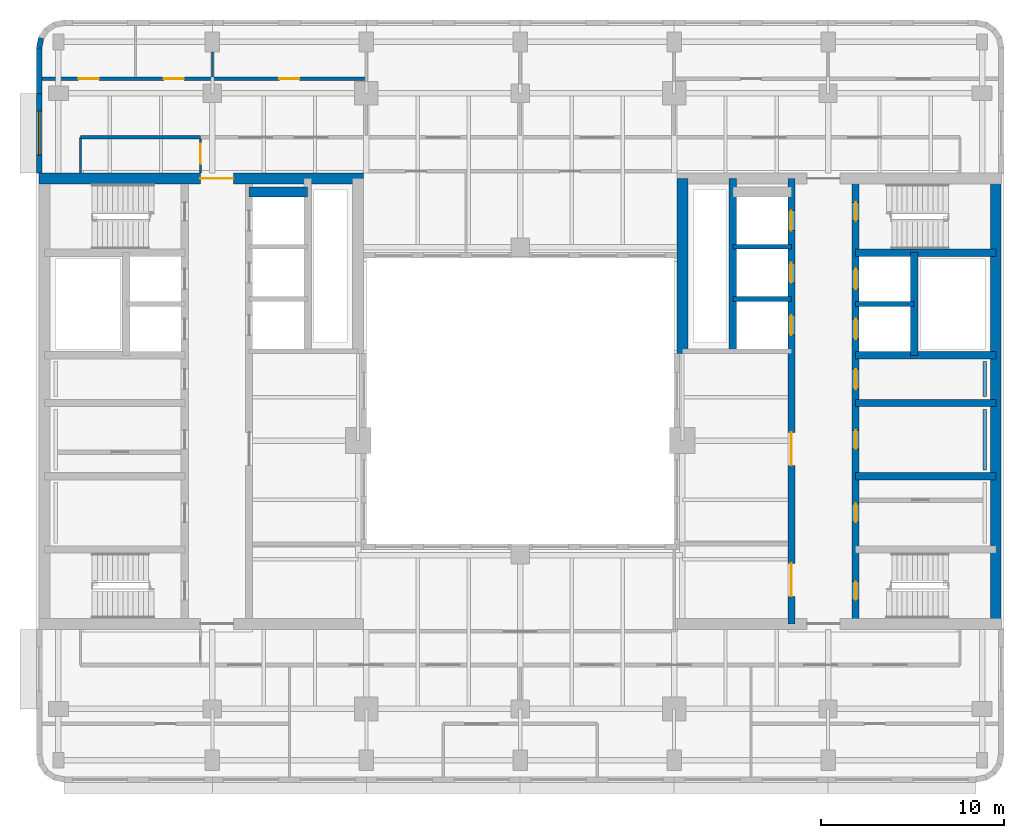
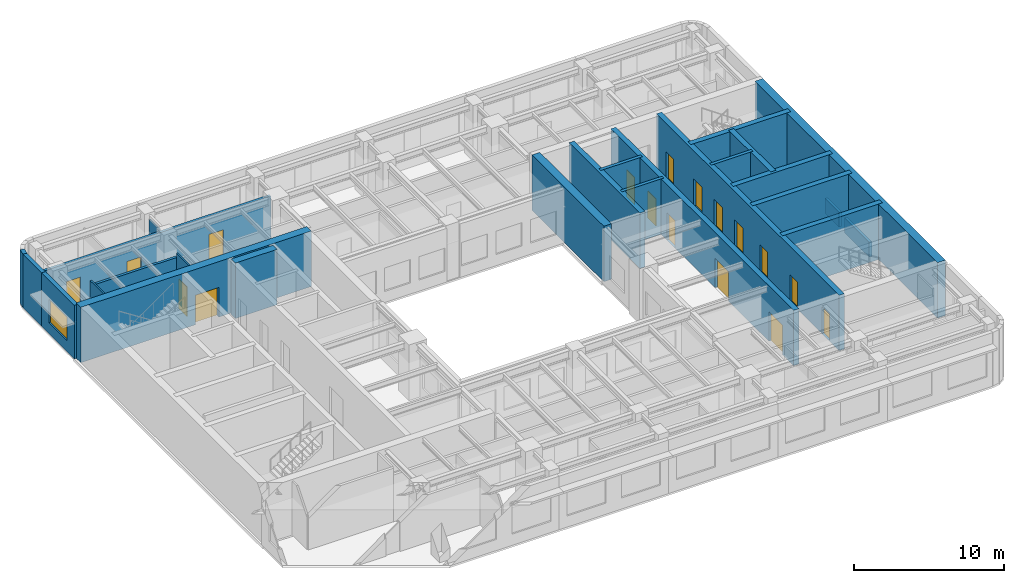
# One storey, part 6 of 11: 25 walls, 17 doors, 1 window, 18 openings.
"""IFC4 building model written with IfcOpenShell, lengths in metres."""

from ifc_helpers import new_model, si_unit, direction, frame, frame_2d, origin, place, context, subcontext, project, spatial, rectangle, extrude, material, layer, layer_set, type_object, element, fill, save


model = new_model("IFC4")

# Units and contexts
model_context = context("Model", 3, precision=1e-05, world=origin(), true_north=direction((0.0, 1.0)))
body_context = subcontext(model_context, "Body", "Model", "MODEL_VIEW")
ifc_project = project(units=[si_unit("LENGTHUNIT", "METRE"), si_unit("AREAUNIT", "SQUARE_METRE"), si_unit("VOLUMEUNIT", "CUBIC_METRE"), si_unit("PLANEANGLEUNIT", "RADIAN"), si_unit("MASSUNIT", "GRAM", prefix="KILO")], contexts=[model_context])

# Site, building, storey
site_placement = place(None, origin())
site = spatial("IfcSite", under=ifc_project, at=site_placement, CompositionType="ELEMENT")
building_placement = place(site_placement, origin())
building = spatial("IfcBuilding", under=site, at=building_placement, Name="Claustro Exchange Tower", CompositionType="ELEMENT")
storey_placement = place(building_placement, frame((0.0, 0.0, 268.199951171875)))
storey = spatial("IfcBuildingStorey", under=building, at=storey_placement, Name="L61", CompositionType="ELEMENT", Elevation=268.199951171875)

# Wall
ifc_material_1 = material(Name="Laminated glass in aluminium frame", Category="aluminium")
ifc_layer_1 = layer(ifc_material_1, 0.1201171875)
ifc_layer_set_1 = layer_set([ifc_layer_1], Name="Laminated glass in aluminium frame")
wall_type_1 = type_object("IfcWallType", Name="P2 120 glazed partition", PredefinedType="PARTITIONING", material=ifc_layer_set_1)
wall_1_placement = place(storey_placement, frame((8.39990234375, 42.89794921875, 0.0), z_axis=(0.0, 0.0, 1.0), x_axis=(0.0, 1.0, 0.0)))
element("IfcWall", 1, at=wall_1_placement, inside=storey, type_object=wall_type_1, Name="Partition P2 L61", PredefinedType="PARTITIONING", context=body_context, shape_type="SweptSolid", body=[
    extrude(rectangle(XDim=1.35302734375, YDim=0.1201171875, at=frame_2d((0.676513671875, 0.0))), origin(), (0.0, 0.0, 1.0), 3.989990234375),
])

# Wall, opening, door
wall_2_placement = place(storey_placement, frame((7.75, 37.64794921875, 0.0), z_axis=(0.0, 0.0, 1.0), x_axis=(0.0, 1.0, 0.0)))
wall_2 = element("IfcWall", 2, at=wall_2_placement, inside=storey, type_object=wall_type_1, Name="Partition P2 L61", PredefinedType="PARTITIONING", context=body_context, shape_type="SweptSolid", body=[
    extrude(rectangle(XDim=1.85400390625, YDim=0.1201171875, at=frame_2d((0.927001953125, 0.0))), origin(), (0.0, 0.0, 1.0), 4.35009765625),
])
opening_1_placement = place(wall_2_placement, frame((0.501953125, 0.0, 0.0)))
opening_1 = element("IfcOpeningElement", 3, at=opening_1_placement, cuts=wall_2, Name="Opening D8", PredefinedType="OPENING", context=body_context, shape_type="SweptSolid", body=[
    extrude(rectangle(XDim=1.10009765625, YDim=2.39990234375, at=frame_2d((0.550048828125, 1.199951171875))), frame((0.0, 0.070068359375, 0.0), z_axis=(0.0, -1.0, 0.0), x_axis=(1.0, 0.0, 0.0)), (0.0, 0.0, 1.0), 0.14013671875),
])
ifc_material_2 = material(Name="Timber door, walnut veneer", Category="wood")
door_type_1 = type_object("IfcDoorType", Name="D8 1100 x 2400 executive door", OperationType="SINGLE_SWING_LEFT", PredefinedType="DOOR", material=ifc_material_2)
door_1_placement = place(opening_1_placement, origin())
door_1 = element("IfcDoor", 4, at=door_1_placement, inside=storey, type_object=door_type_1, Name="Door D8 L61", OperationType="SINGLE_SWING_RIGHT", OverallHeight=2.39990234375, OverallWidth=1.10009765625, PredefinedType="DOOR", context=body_context, shape_type="SweptSolid", body=[
    extrude(rectangle(XDim=1.10009765625, YDim=2.39990234375, at=frame_2d((0.550048828125, 1.199951171875))), frame((0.0, 0.02490234375, 0.0), z_axis=(0.0, -1.0, 0.0), x_axis=(1.0, 0.0, 0.0)), (0.0, 0.0, 1.0), 0.050048828125),
])
fill(opening_1, door_1)

# Wall
wall_3_placement = place(storey_placement, frame((1.199951171875, 37.64794921875, 0.0), z_axis=(0.0, 0.0, 1.0), x_axis=(0.0, 1.0, 0.0)))
element("IfcWall", 5, at=wall_3_placement, inside=storey, type_object=wall_type_1, Name="Partition P2 L61", PredefinedType="PARTITIONING", context=body_context, shape_type="SweptSolid", body=[
    extrude(rectangle(XDim=1.9521484375, YDim=0.1201171875, at=frame_2d((0.97607421875, 0.0))), origin(), (0.0, 0.0, 1.0), 4.35009765625),
])

# Wall, openings, doors
ifc_material_3 = material(Name="Twin-skin gypsum board on steel studs, mineral wool", Category="steel")
ifc_layer_2 = layer(ifc_material_3, 0.199951171875)
ifc_layer_set_2 = layer_set([ifc_layer_2], Name="Twin-skin gypsum board on steel studs, mineral wool")
wall_type_2 = type_object("IfcWallType", Name="P3 200 acoustic partition", PredefinedType="PARTITIONING", material=ifc_layer_set_2)
wall_4_placement = place(storey_placement, frame((-0.902099609375, 42.800048828125, 0.0), z_axis=(0.0, 0.0, 1.0), x_axis=(1.0, 0.0, 0.0)))
wall_4 = element("IfcWall", 6, at=wall_4_placement, inside=storey, type_object=wall_type_2, Name="Partition P3 L61", PredefinedType="PARTITIONING", context=body_context, shape_type="SweptSolid", body=[
    extrude(rectangle(XDim=17.7021484375, YDim=0.199951171875, at=frame_2d((8.85107421875, 0.0))), origin(), (0.0, 0.0, 1.0), 3.860107421875),
])
opening_2_placement = place(wall_4_placement, frame((2.001953125, 0.0, 0.0)))
opening_2 = element("IfcOpeningElement", 7, at=opening_2_placement, cuts=wall_4, Name="Opening D8", PredefinedType="OPENING", context=body_context, shape_type="SweptSolid", body=[
    extrude(rectangle(XDim=1.10009765625, YDim=2.39990234375, at=frame_2d((0.550048828125, 1.199951171875))), frame((0.0, 0.10986328125, 0.0), z_axis=(0.0, -1.0, 0.0), x_axis=(1.0, 0.0, 0.0)), (0.0, 0.0, 1.0), 0.219970703125),
])
opening_3_placement = place(wall_4_placement, frame((6.652099609375, 0.0, 0.0)))
opening_3 = element("IfcOpeningElement", 8, at=opening_3_placement, cuts=wall_4, Name="Opening D8", PredefinedType="OPENING", context=body_context, shape_type="SweptSolid", body=[
    extrude(rectangle(XDim=1.10009765625, YDim=2.39990234375, at=frame_2d((0.550048828125, 1.199951171875))), frame((0.0, 0.10986328125, 0.0), z_axis=(0.0, -1.0, 0.0), x_axis=(1.0, 0.0, 0.0)), (0.0, 0.0, 1.0), 0.219970703125),
])
opening_4_placement = place(wall_4_placement, frame((12.951904296875, 0.0, 0.0)))
opening_4 = element("IfcOpeningElement", 9, at=opening_4_placement, cuts=wall_4, Name="Opening D8", PredefinedType="OPENING", context=body_context, shape_type="SweptSolid", body=[
    extrude(rectangle(XDim=1.10009765625, YDim=2.39990234375, at=frame_2d((0.550048828125, 1.199951171875))), frame((0.0, 0.10986328125, 0.0), z_axis=(0.0, -1.0, 0.0), x_axis=(1.0, 0.0, 0.0)), (0.0, 0.0, 1.0), 0.219970703125),
])
door_2_placement = place(opening_2_placement, origin())
door_2 = element("IfcDoor", 10, at=door_2_placement, inside=storey, type_object=door_type_1, Name="Door D8 L61", OperationType="SINGLE_SWING_RIGHT", OverallHeight=2.39990234375, OverallWidth=1.10009765625, PredefinedType="DOOR", context=body_context, shape_type="SweptSolid", body=[
    extrude(rectangle(XDim=1.10009765625, YDim=2.39990234375, at=frame_2d((0.550048828125, 1.199951171875))), frame((0.0, 0.02490234375, 0.0), z_axis=(0.0, -1.0, 0.0), x_axis=(1.0, 0.0, 0.0)), (0.0, 0.0, 1.0), 0.050048828125),
])
fill(opening_2, door_2)
door_3_placement = place(opening_3_placement, origin())
door_3 = element("IfcDoor", 11, at=door_3_placement, inside=storey, type_object=door_type_1, Name="Door D8 L61", OperationType="SINGLE_SWING_RIGHT", OverallHeight=2.39990234375, OverallWidth=1.10009765625, PredefinedType="DOOR", context=body_context, shape_type="SweptSolid", body=[
    extrude(rectangle(XDim=1.10009765625, YDim=2.39990234375, at=frame_2d((0.550048828125, 1.199951171875))), frame((0.0, 0.02490234375, 0.0), z_axis=(0.0, -1.0, 0.0), x_axis=(1.0, 0.0, 0.0)), (0.0, 0.0, 1.0), 0.050048828125),
])
fill(opening_3, door_3)
door_4_placement = place(opening_4_placement, origin())
door_4 = element("IfcDoor", 12, at=door_4_placement, inside=storey, type_object=door_type_1, Name="Door D8 L61", OperationType="SINGLE_SWING_LEFT", OverallHeight=2.39990234375, OverallWidth=1.10009765625, PredefinedType="DOOR", context=body_context, shape_type="SweptSolid", body=[
    extrude(rectangle(XDim=1.10009765625, YDim=2.39990234375, at=frame_2d((0.550048828125, 1.199951171875))), frame((0.0, 0.02490234375, 0.0), z_axis=(0.0, -1.0, 0.0), x_axis=(1.0, 0.0, 0.0)), (0.0, 0.0, 1.0), 0.050048828125),
])
fill(opening_4, door_4)

# Wall
wall_5_placement = place(storey_placement, frame((1.199951171875, 39.60009765625, 0.0), z_axis=(0.0, 0.0, 1.0), x_axis=(1.0, 0.0, 0.0)))
element("IfcWall", 13, at=wall_5_placement, inside=storey, type_object=wall_type_2, Name="Partition P3 L61", PredefinedType="PARTITIONING", context=body_context, shape_type="SweptSolid", body=[
    extrude(rectangle(XDim=6.552001953125, YDim=0.199951171875, at=frame_2d((3.27587890625, 0.0))), origin(), (0.0, 0.0, 1.0), 3.989990234375),
])

# Wall, opening, window
ifc_material_4 = material(Name="Concrete HA-40 (C40/50), precast, white cement, acid-etched", Category="concrete")
ifc_layer_3 = layer(ifc_material_4, 0.300048828125)
ifc_layer_set_3 = layer_set([ifc_layer_3], Name="Concrete HA-40 (C40/50), precast, white cement, acid-etched")
wall_type_3 = type_object("IfcWallType", Name="PC1 300 precast concrete pier panel", PredefinedType="SOLIDWALL", material=ifc_layer_set_3)
wall_6_placement = place(storey_placement, frame((-1.050048828125, 37.64990234375, 0.0), z_axis=(0.0, 0.0, 1.0), x_axis=(0.0, 1.0, 0.0)))
wall_6 = element("IfcWall", 14, at=wall_6_placement, inside=storey, type_object=wall_type_3, Name="Precast pier panel PC1 L61", PredefinedType="SOLIDWALL", context=body_context, shape_type="SweptSolid", body=[
    extrude(rectangle(XDim=4.35009765625, YDim=0.300048828125, at=frame_2d((2.175048828125, 0.0))), origin(), (0.0, 0.0, 1.0), 4.35009765625),
])
opening_5_placement = place(wall_6_placement, frame((0.97509765625, 0.0, 0.89990234375)))
opening_5 = element("IfcOpeningElement", 15, at=opening_5_placement, cuts=wall_6, Name="Opening W2", PredefinedType="OPENING", context=body_context, shape_type="SweptSolid", body=[
    extrude(rectangle(XDim=2.39990234375, YDim=1.89990234375, at=frame_2d((1.199951171875, 0.949951171875))), frame((0.0, 0.159912109375, 0.0), z_axis=(0.0, -1.0, 0.0), x_axis=(1.0, 0.0, 0.0)), (0.0, 0.0, 1.0), 0.320068359375),
])
ifc_material_5 = material(Name="Aluminium frame, clear double glazing", Category="aluminium")
window_type = type_object("IfcWindowType", Name="W2 2400 x 1900 window", PartitioningType="SINGLE_PANEL", PredefinedType="WINDOW", material=ifc_material_5)
window_placement = place(opening_5_placement, origin())
window = element("IfcWindow", 16, at=window_placement, inside=storey, type_object=window_type, Name="Window W2 L61", OverallHeight=1.89990234375, OverallWidth=2.39990234375, PartitioningType="SINGLE_PANEL", PredefinedType="WINDOW", context=body_context, shape_type="SweptSolid", body=[
    extrude(rectangle(XDim=2.39990234375, YDim=1.89990234375, at=frame_2d((1.199951171875, 0.949951171875))), frame((0.0, 0.030029296875, 0.0), z_axis=(0.0, -1.0, 0.0), x_axis=(1.0, 0.0, 0.0)), (0.0, 0.0, 1.0), 0.06005859375),
])
fill(opening_5, window)

# Walls
wall_7_placement = place(storey_placement, frame((-1.050048828125, 42.0, 0.0), z_axis=(0.0, 0.0, 1.0), x_axis=(0.0, 1.0, 0.0)))
element("IfcWall", 17, at=wall_7_placement, inside=storey, type_object=wall_type_3, Name="Precast pier panel PC1 L61", PredefinedType="SOLIDWALL", context=body_context, shape_type="SweptSolid", body=[
    extrude(rectangle(XDim=2.485107421875, YDim=0.300048828125, at=frame_2d((1.24267578125, 0.0))), origin(), (0.0, 0.0, 1.0), 4.35009765625),
])
wall_8_placement = place(storey_placement, frame((-1.050048828125, 44.485107421875, 0.0), z_axis=(0.0, 0.0, 1.0), x_axis=(0.195073962632, 0.980788534345, 0.0)))
element("IfcWall", 18, at=wall_8_placement, inside=storey, type_object=wall_type_3, Name="Precast pier panel PC1 L61", PredefinedType="SOLIDWALL", context=body_context, shape_type="SweptSolid", body=[
    extrude(rectangle(XDim=0.540771484375, YDim=0.300048828125, at=frame_2d((0.2705078125, 0.0))), origin(), (0.0, 0.0, 1.0), 4.35009765625),
])
ifc_material_6 = material(Name="Gypsum board on steel studs, tiled", Category="steel")
ifc_layer_4 = layer(ifc_material_6, 0.199951171875)
ifc_layer_set_4 = layer_set([ifc_layer_4], Name="Gypsum board on steel studs, tiled")
wall_type_4 = type_object("IfcWallType", Name="PW1 200 WC duct wall", PredefinedType="PLUMBINGWALL", material=ifc_layer_set_4)
wall_9_placement = place(storey_placement, frame((50.550048828125, 21.449951171875, 0.0), z_axis=(0.0, 0.0, 1.0), x_axis=(0.0, 1.0, 0.0)))
element("IfcWall", 19, at=wall_9_placement, inside=storey, type_object=wall_type_4, Name="WC duct wall PW1 L61", PredefinedType="PLUMBINGWALL", context=body_context, shape_type="SweptSolid", body=[
    extrude(rectangle(XDim=3.300048828125, YDim=0.199951171875, at=frame_2d((1.64990234375, 0.0))), origin(), (0.0, 0.0, 1.0), 1.199951171875),
])
wall_10_placement = place(storey_placement, frame((50.550048828125, 25.449951171875, 0.0), z_axis=(0.0, 0.0, 1.0), x_axis=(0.0, 1.0, 0.0)))
element("IfcWall", 20, at=wall_10_placement, inside=storey, type_object=wall_type_4, Name="WC duct wall PW1 L61", PredefinedType="PLUMBINGWALL", context=body_context, shape_type="SweptSolid", body=[
    extrude(rectangle(XDim=1.900146484375, YDim=0.199951171875, at=frame_2d((0.9501953125, 0.0))), origin(), (0.0, 0.0, 1.0), 1.199951171875),
])

# Wall, opening, door
ifc_material_7 = material(Name="Concrete HA-50 (C50/60)", Category="concrete")
ifc_layer_5 = layer(ifc_material_7, 0.60009765625)
ifc_layer_set_5 = layer_set([ifc_layer_5], Name="Concrete HA-50 (C50/60)")
wall_type_5 = type_object("IfcWallType", Name="SW3 600 core shear wall", PredefinedType="SHEAR", material=ifc_layer_set_5)
wall_11_placement = place(storey_placement, frame((-1.050048828125, 37.35009765625, 0.0), z_axis=(0.0, 0.0, 1.0), x_axis=(1.0, 0.0, 0.0)))
wall_11 = element("IfcWall", 21, at=wall_11_placement, inside=storey, type_object=wall_type_5, Name="Core wall SW3 W core N face L61", PredefinedType="SHEAR", context=body_context, shape_type="SweptSolid", body=[
    extrude(rectangle(XDim=17.699951171875, YDim=0.60009765625, at=frame_2d((8.85009765625, 0.0))), origin(), (0.0, 0.0, 1.0), 4.5),
])
opening_6_placement = place(wall_11_placement, frame((8.800048828125, 0.0, 0.0)))
opening_6 = element("IfcOpeningElement", 22, at=opening_6_placement, cuts=wall_11, Name="Opening D3", PredefinedType="OPENING", context=body_context, shape_type="SweptSolid", body=[
    extrude(rectangle(XDim=1.800048828125, YDim=2.39990234375, at=frame_2d((0.89990234375, 1.199951171875))), frame((0.0, 0.31005859375, 0.0), z_axis=(0.0, -1.0, 0.0), x_axis=(1.0, 0.0, 0.0)), (0.0, 0.0, 1.0), 0.6201171875),
])
ifc_material_8 = material(Name="Steel fire door, painted", Category="steel")
door_type_2 = type_object("IfcDoorType", Name="D3 1800 x 2400 fire-rated lobby double door", OperationType="DOUBLE_DOOR_SINGLE_SWING", PredefinedType="DOOR", material=ifc_material_8)
door_5_placement = place(opening_6_placement, origin())
door_5 = element("IfcDoor", 23, at=door_5_placement, inside=storey, type_object=door_type_2, Name="Lift lobby door D3 L61", OperationType="DOUBLE_DOOR_SINGLE_SWING", OverallHeight=2.39990234375, OverallWidth=1.800048828125, PredefinedType="DOOR", context=body_context, shape_type="SweptSolid", body=[
    extrude(rectangle(XDim=1.800048828125, YDim=2.39990234375, at=frame_2d((0.89990234375, 1.199951171875))), frame((0.0, 0.02490234375, 0.0), z_axis=(0.0, -1.0, 0.0), x_axis=(1.0, 0.0, 0.0)), (0.0, 0.0, 1.0), 0.050048828125),
])
fill(opening_6, door_5)

# Walls
ifc_material_9 = material(Name="Concrete HA-50 (C50/60)", Category="concrete")
ifc_layer_6 = layer(ifc_material_9, 0.60009765625)
ifc_layer_set_6 = layer_set([ifc_layer_6], Name="Concrete HA-50 (C50/60)")
wall_type_6 = type_object("IfcWallType", Name="SW3X 600 exposed core shear wall, board-marked face", PredefinedType="SHEAR", material=ifc_layer_set_6)
wall_12_placement = place(storey_placement, frame((34.050048828125, 27.800048828125, 0.0), z_axis=(0.0, 0.0, 1.0), x_axis=(0.0, 1.0, 0.0)))
element("IfcWall", 24, at=wall_12_placement, inside=storey, type_object=wall_type_6, Name="Core wall SW3X E core W face L61", PredefinedType="SHEAR", context=body_context, shape_type="SweptSolid", body=[
    extrude(rectangle(XDim=9.550048828125, YDim=0.60009765625, at=frame_2d((4.77490234375, 0.0))), origin(), (0.0, 0.0, 1.0), 4.5),
])
wall_13_placement = place(storey_placement, frame((51.14990234375, 13.050048828125, 0.0), z_axis=(0.0, 0.0, 1.0), x_axis=(0.0, 1.0, 0.0)))
element("IfcWall", 25, at=wall_13_placement, inside=storey, type_object=wall_type_6, Name="Core wall SW3X E core E face L61", PredefinedType="SHEAR", context=body_context, shape_type="SweptSolid", body=[
    extrude(rectangle(XDim=24.300048828125, YDim=0.60009765625, at=frame_2d((12.14990234375, 0.0))), origin(), (0.0, 0.0, 1.0), 4.5),
])

# Wall, openings, doors
ifc_material_10 = material(Name="Concrete HA-50 (C50/60)", Category="concrete")
ifc_layer_7 = layer(ifc_material_10, 0.39990234375)
ifc_layer_set_7 = layer_set([ifc_layer_7], Name="Concrete HA-50 (C50/60)")
wall_type_7 = type_object("IfcWallType", Name="SW4 400 internal core wall", PredefinedType="SHEAR", material=ifc_layer_set_7)
wall_14_placement = place(storey_placement, frame((43.5, 13.050048828125, 0.0), z_axis=(0.0, 0.0, 1.0), x_axis=(0.0, 1.0, 0.0)))
wall_14 = element("IfcWall", 26, at=wall_14_placement, inside=storey, type_object=wall_type_7, Name="Internal core wall SW4 E core L61", PredefinedType="SHEAR", context=body_context, shape_type="SweptSolid", body=[
    extrude(rectangle(XDim=24.300048828125, YDim=0.39990234375, at=frame_2d((12.14990234375, 0.0))), origin(), (0.0, 0.0, 1.0), 4.5),
])
opening_7_placement = place(wall_14_placement, frame((1.300048828125, 0.0, 0.0)))
opening_7 = element("IfcOpeningElement", 27, at=opening_7_placement, cuts=wall_14, Name="Opening D4", PredefinedType="OPENING", context=body_context, shape_type="SweptSolid", body=[
    extrude(rectangle(XDim=1.0, YDim=2.199951171875, at=frame_2d((0.5, 1.10009765625))), frame((0.0, 0.2099609375, 0.0), z_axis=(0.0, -1.0, 0.0), x_axis=(1.0, 0.0, 0.0)), (0.0, 0.0, 1.0), 0.419921875),
])
opening_8_placement = place(wall_14_placement, frame((22.0, 0.0, 0.0)))
opening_8 = element("IfcOpeningElement", 28, at=opening_8_placement, cuts=wall_14, Name="Opening D4", PredefinedType="OPENING", context=body_context, shape_type="SweptSolid", body=[
    extrude(rectangle(XDim=1.0, YDim=2.199951171875, at=frame_2d((0.5, 1.10009765625))), frame((0.0, 0.2099609375, 0.0), z_axis=(0.0, -1.0, 0.0), x_axis=(1.0, 0.0, 0.0)), (0.0, 0.0, 1.0), 0.419921875),
])
opening_9_placement = place(wall_14_placement, frame((5.550048828125, 0.0, 0.0)))
opening_9 = element("IfcOpeningElement", 29, at=opening_9_placement, cuts=wall_14, Name="Opening D1", PredefinedType="OPENING", context=body_context, shape_type="SweptSolid", body=[
    extrude(rectangle(XDim=1.0, YDim=2.199951171875, at=frame_2d((0.5, 1.10009765625))), frame((0.0, 0.2099609375, 0.0), z_axis=(0.0, -1.0, 0.0), x_axis=(1.0, 0.0, 0.0)), (0.0, 0.0, 1.0), 0.419921875),
])
opening_10_placement = place(wall_14_placement, frame((9.550048828125, 0.0, 0.0)))
opening_10 = element("IfcOpeningElement", 30, at=opening_10_placement, cuts=wall_14, Name="Opening D1", PredefinedType="OPENING", context=body_context, shape_type="SweptSolid", body=[
    extrude(rectangle(XDim=1.0, YDim=2.199951171875, at=frame_2d((0.5, 1.10009765625))), frame((0.0, 0.2099609375, 0.0), z_axis=(0.0, -1.0, 0.0), x_axis=(1.0, 0.0, 0.0)), (0.0, 0.0, 1.0), 0.419921875),
])
opening_11_placement = place(wall_14_placement, frame((12.800048828125, 0.0, 0.0)))
opening_11 = element("IfcOpeningElement", 31, at=opening_11_placement, cuts=wall_14, Name="Opening D10", PredefinedType="OPENING", context=body_context, shape_type="SweptSolid", body=[
    extrude(rectangle(XDim=1.10009765625, YDim=2.199951171875, at=frame_2d((0.550048828125, 1.10009765625))), frame((0.0, 0.2099609375, 0.0), z_axis=(0.0, -1.0, 0.0), x_axis=(1.0, 0.0, 0.0)), (0.0, 0.0, 1.0), 0.419921875),
])
opening_12_placement = place(wall_14_placement, frame((15.53759765625, 0.0, 0.0)))
opening_12 = element("IfcOpeningElement", 32, at=opening_12_placement, cuts=wall_14, Name="Opening LD", PredefinedType="OPENING", context=body_context, shape_type="SweptSolid", body=[
    extrude(rectangle(XDim=1.10009765625, YDim=2.199951171875, at=frame_2d((0.550048828125, 1.10009765625))), frame((0.0, 0.2099609375, 0.0), z_axis=(0.0, -1.0, 0.0), x_axis=(1.0, 0.0, 0.0)), (0.0, 0.0, 1.0), 0.419921875),
])
opening_13_placement = place(wall_14_placement, frame((18.262451171875, 0.0, 0.0)))
opening_13 = element("IfcOpeningElement", 33, at=opening_13_placement, cuts=wall_14, Name="Opening LD", PredefinedType="OPENING", context=body_context, shape_type="SweptSolid", body=[
    extrude(rectangle(XDim=1.10009765625, YDim=2.199951171875, at=frame_2d((0.550048828125, 1.10009765625))), frame((0.0, 0.2099609375, 0.0), z_axis=(0.0, -1.0, 0.0), x_axis=(1.0, 0.0, 0.0)), (0.0, 0.0, 1.0), 0.419921875),
])
ifc_material_11 = material(Name="Timber door, oak veneer", Category="wood")
door_type_3 = type_object("IfcDoorType", Name="D1 1000 x 2200 single door", OperationType="SINGLE_SWING_LEFT", PredefinedType="DOOR", material=ifc_material_11)
door_6_placement = place(opening_9_placement, frame((1.0, 0.0, 0.0), z_axis=(0.0, 0.0, 1.0), x_axis=(-1.0, 0.0, 0.0)))
door_6 = element("IfcDoor", 34, at=door_6_placement, inside=storey, type_object=door_type_3, Name="Door D1 L61", OperationType="SINGLE_SWING_LEFT", OverallHeight=2.199951171875, OverallWidth=1.0, PredefinedType="DOOR", context=body_context, shape_type="SweptSolid", body=[
    extrude(rectangle(XDim=1.0, YDim=2.199951171875, at=frame_2d((0.5, 1.10009765625))), frame((0.0, 0.02490234375, 0.0), z_axis=(0.0, -1.0, 0.0), x_axis=(1.0, 0.0, 0.0)), (0.0, 0.0, 1.0), 0.050048828125),
])
fill(opening_9, door_6)
door_7_placement = place(opening_10_placement, frame((1.0, 0.0, 0.0), z_axis=(0.0, 0.0, 1.0), x_axis=(-1.0, 0.0, 0.0)))
door_7 = element("IfcDoor", 35, at=door_7_placement, inside=storey, type_object=door_type_3, Name="Door D1 L61", OperationType="SINGLE_SWING_LEFT", OverallHeight=2.199951171875, OverallWidth=1.0, PredefinedType="DOOR", context=body_context, shape_type="SweptSolid", body=[
    extrude(rectangle(XDim=1.0, YDim=2.199951171875, at=frame_2d((0.5, 1.10009765625))), frame((0.0, 0.02490234375, 0.0), z_axis=(0.0, -1.0, 0.0), x_axis=(1.0, 0.0, 0.0)), (0.0, 0.0, 1.0), 0.050048828125),
])
fill(opening_10, door_7)
ifc_material_12 = material(Name="Timber door, oak veneer", Category="wood")
door_type_4 = type_object("IfcDoorType", Name="D10 1100 x 2200 accessible WC door", OperationType="SINGLE_SWING_LEFT", PredefinedType="DOOR", material=ifc_material_12)
door_8_placement = place(opening_11_placement, origin())
door_8 = element("IfcDoor", 36, at=door_8_placement, inside=storey, type_object=door_type_4, Name="Accessible WC door D10 L61", OperationType="SINGLE_SWING_RIGHT", OverallHeight=2.199951171875, OverallWidth=1.10009765625, PredefinedType="DOOR", context=body_context, shape_type="SweptSolid", body=[
    extrude(rectangle(XDim=1.10009765625, YDim=2.199951171875, at=frame_2d((0.550048828125, 1.10009765625))), frame((0.0, 0.02490234375, 0.0), z_axis=(0.0, -1.0, 0.0), x_axis=(1.0, 0.0, 0.0)), (0.0, 0.0, 1.0), 0.050048828125),
])
fill(opening_11, door_8)
ifc_material_13 = material(Name="Steel fire door, painted", Category="steel")
door_type_5 = type_object("IfcDoorType", Name="D4 1000 x 2200 fire-rated stair door", OperationType="SINGLE_SWING_LEFT", PredefinedType="DOOR", material=ifc_material_13)
door_9_placement = place(opening_7_placement, frame((1.0, 0.0, 0.0), z_axis=(0.0, 0.0, 1.0), x_axis=(-1.0, 0.0, 0.0)))
door_9 = element("IfcDoor", 37, at=door_9_placement, inside=storey, type_object=door_type_5, Name="Stair door D4 L61", OperationType="SINGLE_SWING_RIGHT", OverallHeight=2.199951171875, OverallWidth=1.0, PredefinedType="DOOR", context=body_context, shape_type="SweptSolid", body=[
    extrude(rectangle(XDim=1.0, YDim=2.199951171875, at=frame_2d((0.5, 1.10009765625))), frame((0.0, 0.02490234375, 0.0), z_axis=(0.0, -1.0, 0.0), x_axis=(1.0, 0.0, 0.0)), (0.0, 0.0, 1.0), 0.050048828125),
])
fill(opening_7, door_9)
door_10_placement = place(opening_8_placement, frame((1.0, 0.0, 0.0), z_axis=(0.0, 0.0, 1.0), x_axis=(-1.0, 0.0, 0.0)))
door_10 = element("IfcDoor", 38, at=door_10_placement, inside=storey, type_object=door_type_5, Name="Stair door D4 L61", OperationType="SINGLE_SWING_LEFT", OverallHeight=2.199951171875, OverallWidth=1.0, PredefinedType="DOOR", context=body_context, shape_type="SweptSolid", body=[
    extrude(rectangle(XDim=1.0, YDim=2.199951171875, at=frame_2d((0.5, 1.10009765625))), frame((0.0, 0.02490234375, 0.0), z_axis=(0.0, -1.0, 0.0), x_axis=(1.0, 0.0, 0.0)), (0.0, 0.0, 1.0), 0.050048828125),
])
fill(opening_8, door_10)
ifc_material_14 = material(Name="Stainless steel sliding door", Category="steel")
door_type_6 = type_object("IfcDoorType", Name="LD 1100 x 2200 lift landing door", OperationType="DOUBLE_DOOR_SLIDING", PredefinedType="DOOR", material=ifc_material_14)
door_11_placement = place(opening_12_placement, origin())
door_11 = element("IfcDoor", 39, at=door_11_placement, inside=storey, type_object=door_type_6, Name="Lift landing door LEE1 LD L61", OperationType="DOUBLE_DOOR_SLIDING", OverallHeight=2.199951171875, OverallWidth=1.10009765625, PredefinedType="DOOR", context=body_context, shape_type="SweptSolid", body=[
    extrude(rectangle(XDim=1.10009765625, YDim=2.199951171875, at=frame_2d((0.550048828125, 1.10009765625))), frame((0.0, 0.02490234375, 0.0), z_axis=(0.0, -1.0, 0.0), x_axis=(1.0, 0.0, 0.0)), (0.0, 0.0, 1.0), 0.050048828125),
])
fill(opening_12, door_11)
door_12_placement = place(opening_13_placement, origin())
door_12 = element("IfcDoor", 40, at=door_12_placement, inside=storey, type_object=door_type_6, Name="Lift landing door LEE2 LD L61", OperationType="DOUBLE_DOOR_SLIDING", OverallHeight=2.199951171875, OverallWidth=1.10009765625, PredefinedType="DOOR", context=body_context, shape_type="SweptSolid", body=[
    extrude(rectangle(XDim=1.10009765625, YDim=2.199951171875, at=frame_2d((0.550048828125, 1.10009765625))), frame((0.0, 0.02490234375, 0.0), z_axis=(0.0, -1.0, 0.0), x_axis=(1.0, 0.0, 0.0)), (0.0, 0.0, 1.0), 0.050048828125),
])
fill(opening_13, door_12)

wall_15_placement = place(storey_placement, frame((40.0, 13.050048828125, 0.0), z_axis=(0.0, 0.0, 1.0), x_axis=(0.0, 1.0, 0.0)))
wall_15 = element("IfcWall", 41, at=wall_15_placement, inside=storey, type_object=wall_type_7, Name="Internal core wall SW4 E core L61", PredefinedType="SHEAR", context=body_context, shape_type="SweptSolid", body=[
    extrude(rectangle(XDim=24.300048828125, YDim=0.39990234375, at=frame_2d((12.14990234375, 0.0))), origin(), (0.0, 0.0, 1.0), 4.5),
])
opening_14_placement = place(wall_15_placement, frame((15.75, 0.0, 0.0)))
opening_14 = element("IfcOpeningElement", 42, at=opening_14_placement, cuts=wall_15, Name="Opening LD", PredefinedType="OPENING", context=body_context, shape_type="SweptSolid", body=[
    extrude(rectangle(XDim=1.10009765625, YDim=2.199951171875, at=frame_2d((0.550048828125, 1.10009765625))), frame((0.0, 0.2099609375, 0.0), z_axis=(0.0, -1.0, 0.0), x_axis=(1.0, 0.0, 0.0)), (0.0, 0.0, 1.0), 0.419921875),
])
opening_15_placement = place(wall_15_placement, frame((18.60009765625, 0.0, 0.0)))
opening_15 = element("IfcOpeningElement", 43, at=opening_15_placement, cuts=wall_15, Name="Opening LD", PredefinedType="OPENING", context=body_context, shape_type="SweptSolid", body=[
    extrude(rectangle(XDim=1.10009765625, YDim=2.199951171875, at=frame_2d((0.550048828125, 1.10009765625))), frame((0.0, 0.2099609375, 0.0), z_axis=(0.0, -1.0, 0.0), x_axis=(1.0, 0.0, 0.0)), (0.0, 0.0, 1.0), 0.419921875),
])
opening_16_placement = place(wall_15_placement, frame((21.449951171875, 0.0, 0.0)))
opening_16 = element("IfcOpeningElement", 44, at=opening_16_placement, cuts=wall_15, Name="Opening LD", PredefinedType="OPENING", context=body_context, shape_type="SweptSolid", body=[
    extrude(rectangle(XDim=1.10009765625, YDim=2.199951171875, at=frame_2d((0.550048828125, 1.10009765625))), frame((0.0, 0.2099609375, 0.0), z_axis=(0.0, -1.0, 0.0), x_axis=(1.0, 0.0, 0.0)), (0.0, 0.0, 1.0), 0.419921875),
])
opening_17_placement = place(wall_15_placement, frame((8.64990234375, 0.0, 0.0)))
opening_17 = element("IfcOpeningElement", 45, at=opening_17_placement, cuts=wall_15, Name="Opening D3", PredefinedType="OPENING", context=body_context, shape_type="SweptSolid", body=[
    extrude(rectangle(XDim=1.800048828125, YDim=2.39990234375, at=frame_2d((0.89990234375, 1.199951171875))), frame((0.0, 0.2099609375, 0.0), z_axis=(0.0, -1.0, 0.0), x_axis=(1.0, 0.0, 0.0)), (0.0, 0.0, 1.0), 0.419921875),
])
opening_18_placement = place(wall_15_placement, frame((1.5, 0.0, 0.0)))
opening_18 = element("IfcOpeningElement", 46, at=opening_18_placement, cuts=wall_15, Name="Opening D3", PredefinedType="OPENING", context=body_context, shape_type="SweptSolid", body=[
    extrude(rectangle(XDim=1.800048828125, YDim=2.39990234375, at=frame_2d((0.89990234375, 1.199951171875))), frame((0.0, 0.2099609375, 0.0), z_axis=(0.0, -1.0, 0.0), x_axis=(1.0, 0.0, 0.0)), (0.0, 0.0, 1.0), 0.419921875),
])
door_13_placement = place(opening_17_placement, origin())
door_13 = element("IfcDoor", 47, at=door_13_placement, inside=storey, type_object=door_type_2, Name="Core zone door D3 L61", OperationType="DOUBLE_DOOR_SINGLE_SWING", OverallHeight=2.39990234375, OverallWidth=1.800048828125, PredefinedType="DOOR", context=body_context, shape_type="SweptSolid", body=[
    extrude(rectangle(XDim=1.800048828125, YDim=2.39990234375, at=frame_2d((0.89990234375, 1.199951171875))), frame((0.0, 0.02490234375, 0.0), z_axis=(0.0, -1.0, 0.0), x_axis=(1.0, 0.0, 0.0)), (0.0, 0.0, 1.0), 0.050048828125),
])
fill(opening_17, door_13)
door_14_placement = place(opening_18_placement, origin())
door_14 = element("IfcDoor", 48, at=door_14_placement, inside=storey, type_object=door_type_2, Name="Core zone door D3 L61", OperationType="DOUBLE_DOOR_SINGLE_SWING", OverallHeight=2.39990234375, OverallWidth=1.800048828125, PredefinedType="DOOR", context=body_context, shape_type="SweptSolid", body=[
    extrude(rectangle(XDim=1.800048828125, YDim=2.39990234375, at=frame_2d((0.89990234375, 1.199951171875))), frame((0.0, 0.02490234375, 0.0), z_axis=(0.0, -1.0, 0.0), x_axis=(1.0, 0.0, 0.0)), (0.0, 0.0, 1.0), 0.050048828125),
])
fill(opening_18, door_14)
door_15_placement = place(opening_14_placement, origin())
door_15 = element("IfcDoor", 49, at=door_15_placement, inside=storey, type_object=door_type_6, Name="Lift landing door LHE1 LD L61", OperationType="DOUBLE_DOOR_SLIDING", OverallHeight=2.199951171875, OverallWidth=1.10009765625, PredefinedType="DOOR", context=body_context, shape_type="SweptSolid", body=[
    extrude(rectangle(XDim=1.10009765625, YDim=2.199951171875, at=frame_2d((0.550048828125, 1.10009765625))), frame((0.0, 0.02490234375, 0.0), z_axis=(0.0, -1.0, 0.0), x_axis=(1.0, 0.0, 0.0)), (0.0, 0.0, 1.0), 0.050048828125),
])
fill(opening_14, door_15)
door_16_placement = place(opening_15_placement, origin())
door_16 = element("IfcDoor", 50, at=door_16_placement, inside=storey, type_object=door_type_6, Name="Lift landing door LHE2 LD L61", OperationType="DOUBLE_DOOR_SLIDING", OverallHeight=2.199951171875, OverallWidth=1.10009765625, PredefinedType="DOOR", context=body_context, shape_type="SweptSolid", body=[
    extrude(rectangle(XDim=1.10009765625, YDim=2.199951171875, at=frame_2d((0.550048828125, 1.10009765625))), frame((0.0, 0.02490234375, 0.0), z_axis=(0.0, -1.0, 0.0), x_axis=(1.0, 0.0, 0.0)), (0.0, 0.0, 1.0), 0.050048828125),
])
fill(opening_15, door_16)
door_17_placement = place(opening_16_placement, origin())
door_17 = element("IfcDoor", 51, at=door_17_placement, inside=storey, type_object=door_type_6, Name="Lift landing door LSE1 LD L61", OperationType="DOUBLE_DOOR_SLIDING", OverallHeight=2.199951171875, OverallWidth=1.10009765625, PredefinedType="DOOR", context=body_context, shape_type="SweptSolid", body=[
    extrude(rectangle(XDim=1.10009765625, YDim=2.199951171875, at=frame_2d((0.550048828125, 1.10009765625))), frame((0.0, 0.02490234375, 0.0), z_axis=(0.0, -1.0, 0.0), x_axis=(1.0, 0.0, 0.0)), (0.0, 0.0, 1.0), 0.050048828125),
])
fill(opening_16, door_17)

# Walls
wall_16_placement = place(storey_placement, frame((36.800048828125, 27.925048828125, 0.0), z_axis=(0.0, 0.0, 1.0), x_axis=(0.0, 1.0, 0.0)))
element("IfcWall", 52, at=wall_16_placement, inside=storey, type_object=wall_type_7, Name="Internal core wall SW4 E core L61", PredefinedType="SHEAR", context=body_context, shape_type="SweptSolid", body=[
    extrude(rectangle(XDim=9.425048828125, YDim=0.39990234375, at=frame_2d((4.71240234375, 0.0))), origin(), (0.0, 0.0, 1.0), 4.5),
])
for number, where, z_axis, x_axis, name in (
    (53, (51.14990234375, 21.10009765625, 0.0), (0.0, 0.0, 1.0), (-1.0, 0.0, 0.0), "Internal core wall SW4 E core L61"),
    (54, (51.14990234375, 25.10009765625, 0.0), (0.0, 0.0, 1.0), (-1.0, 0.0, 0.0), "Internal core wall SW4 E core L61"),
    (55, (51.14990234375, 27.699951171875, 0.0), (0.0, 0.0, 1.0), (-1.0, 0.0, 0.0), "Internal core wall SW4 E core L61"),
    (56, (51.14990234375, 33.300048828125, 0.0), (0.0, 0.0, 1.0), (-1.0, 0.0, 0.0), "Internal core wall SW4 E core L61"),
):
    element("IfcWall", number, at=place(storey_placement, frame(where, z_axis=z_axis, x_axis=x_axis)), inside=storey, type_object=wall_type_7, Name=name, PredefinedType="SHEAR", context=body_context, shape_type="SweptSolid", body=[
        extrude(rectangle(XDim=7.64990234375, YDim=0.39990234375, at=frame_2d((3.824951171875, 0.0))), origin(), (0.0, 0.0, 1.0), 4.5),
    ])
wall_17_placement = place(storey_placement, frame((46.699951171875, 27.699951171875, 0.0), z_axis=(0.0, 0.0, 1.0), x_axis=(0.0, 1.0, 0.0)))
element("IfcWall", 57, at=wall_17_placement, inside=storey, type_object=wall_type_7, Name="Internal core wall SW4 E core L61", PredefinedType="SHEAR", context=body_context, shape_type="SweptSolid", body=[
    extrude(rectangle(XDim=5.60009765625, YDim=0.39990234375, at=frame_2d((2.800048828125, 0.0))), origin(), (0.0, 0.0, 1.0), 4.5),
])
ifc_material_15 = material(Name="Concrete HA-50 (C50/60)", Category="concrete")
ifc_layer_8 = layer(ifc_material_15, 0.25)
ifc_layer_set_8 = layer_set([ifc_layer_8], Name="Concrete HA-50 (C50/60)")
wall_type_8 = type_object("IfcWallType", Name="SW5 250 lift shaft divider wall", PredefinedType="SHEAR", material=ifc_layer_set_8)
for number, where, z_axis, x_axis, name in (
    (58, (46.699951171875, 30.5, 0.0), (0.0, 0.0, 1.0), (-1.0, 0.0, 0.0), "Lift shaft wall E core L61"),
    (59, (40.0, 30.77490234375, 0.0), (0.0, 0.0, 1.0), (-1.0, 0.0, 0.0), "Lift shaft wall E core L61"),
    (60, (40.0, 33.625, 0.0), (0.0, 0.0, 1.0), (-1.0, 0.0, 0.0), "Lift shaft wall E core L61"),
):
    element("IfcWall", number, at=place(storey_placement, frame(where, z_axis=z_axis, x_axis=x_axis)), inside=storey, type_object=wall_type_8, Name=name, PredefinedType="SHEAR", context=body_context, shape_type="SweptSolid", body=[
        extrude(rectangle(XDim=3.199951171875, YDim=0.25, at=frame_2d((1.60009765625, 0.0))), origin(), (0.0, 0.0, 1.0), 4.5),
    ])
ifc_material_16 = material(Name="Concrete HA-50 (C50/60)", Category="concrete")
ifc_layer_9 = layer(ifc_material_16, 0.550048828125)
ifc_layer_set_9 = layer_set([ifc_layer_9], Name="Concrete HA-50 (C50/60)")
wall_type_9 = type_object("IfcWallType", Name="SW6 550 lift shaft end wall", PredefinedType="SHEAR", material=ifc_layer_set_9)
wall_18_placement = place(storey_placement, frame((10.39990234375, 36.625, 0.0), z_axis=(0.0, 0.0, 1.0), x_axis=(1.0, 0.0, 0.0)))
element("IfcWall", 61, at=wall_18_placement, inside=storey, type_object=wall_type_9, Name="Lift shaft wall W core L61", PredefinedType="SHEAR", context=body_context, shape_type="SweptSolid", body=[
    extrude(rectangle(XDim=3.2001953125, YDim=0.550048828125, at=frame_2d((1.60009765625, 0.0))), origin(), (0.0, 0.0, 1.0), 4.5),
])

save(model, "model.ifc")
